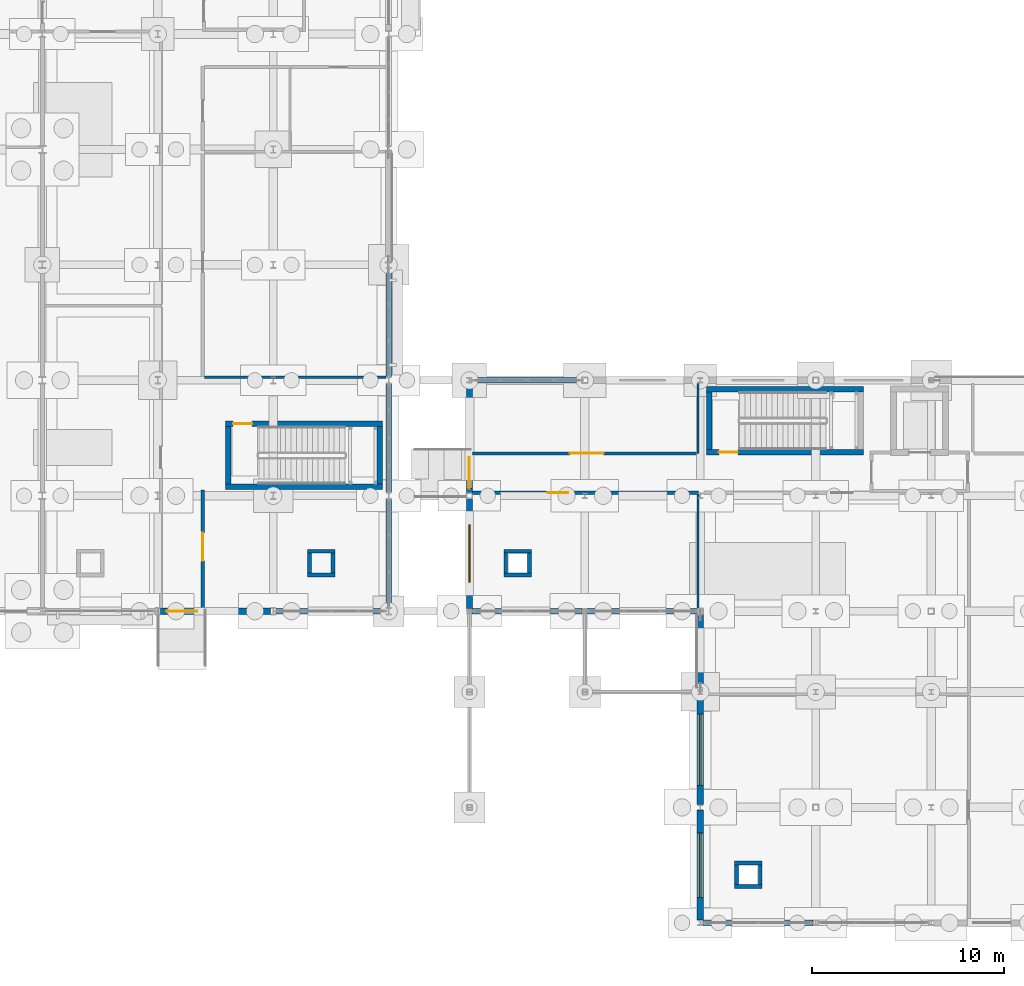
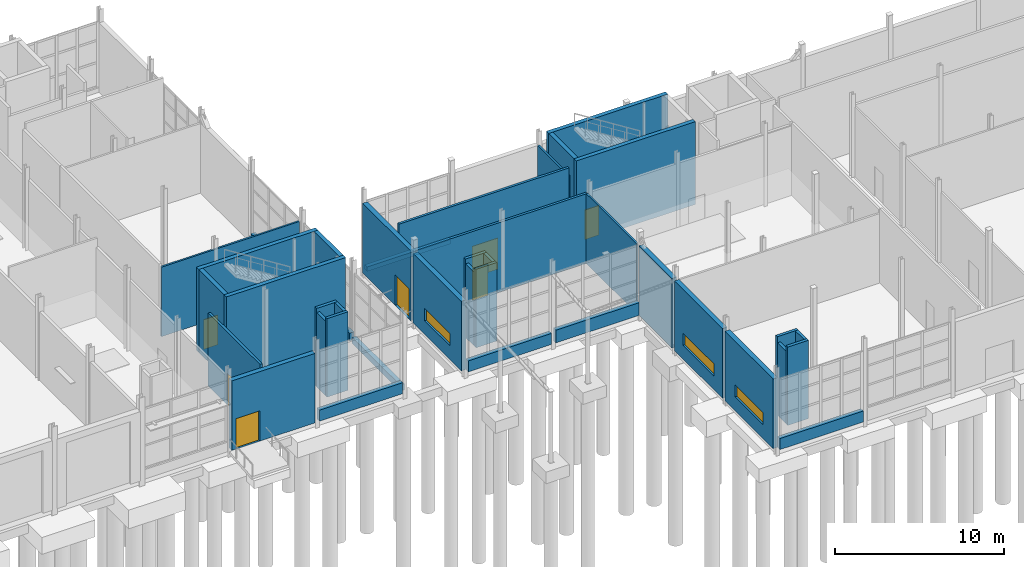
# One storey, part 96 of 120: 39 walls, 7 doors, 3 windows, 10 openings.
"""IFC4 building model written with IfcOpenShell, lengths in metres."""

from ifc_helpers import new_model, si_unit, direction, frame, frame_2d, origin, place, context, subcontext, project, spatial, rectangle, extrude, material, layer, layer_set, type_object, element, fill, save


model = new_model("IFC4")

# Units and contexts
model_context = context("Model", 3, precision=1e-05, world=origin(), true_north=direction((0.0, 1.0)))
body_context = subcontext(model_context, "Body", "Model", "MODEL_VIEW")
ifc_project = project(units=[si_unit("LENGTHUNIT", "METRE"), si_unit("AREAUNIT", "SQUARE_METRE"), si_unit("VOLUMEUNIT", "CUBIC_METRE"), si_unit("PLANEANGLEUNIT", "RADIAN"), si_unit("MASSUNIT", "GRAM", prefix="KILO")], contexts=[model_context])

# Site, building, storey
site_placement = place(None, origin())
site = spatial("IfcSite", under=ifc_project, at=site_placement, CompositionType="ELEMENT")
building_placement = place(site_placement, origin())
building = spatial("IfcBuilding", under=site, at=building_placement, Name="Siltcreek Boulevard Central Fire Station", CompositionType="ELEMENT")
storey_placement = place(building_placement, origin())
storey = spatial("IfcBuildingStorey", under=building, at=storey_placement, Name="L01", CompositionType="ELEMENT", Elevation=0.0)

# Wall
ifc_material_1 = material(Name="Concrete C40/50", Category="concrete")
ifc_layer_1 = layer(ifc_material_1, 0.280029296875, Name="Concrete C40/50")
ifc_layer_set_1 = layer_set([ifc_layer_1], Name="Concrete C40/50")
wall_type_1 = type_object("IfcWallType", Name="CW_SHEAR280", PredefinedType="SHEAR", material=ifc_layer_set_1)
wall_1_placement = place(storey_placement, frame((99.52001953125, 24.4599609375, 0.0), z_axis=(0.0, 0.0, 1.0), x_axis=(1.0, 0.0, 0.0)))
element("IfcWall", 1, at=wall_1_placement, inside=storey, type_object=wall_type_1, Name="L01 ST-V2B stair enclosure south shear wall", PredefinedType="SHEAR", context=body_context, shape_type="SweptSolid", body=[
    extrude(rectangle(XDim=8.159912109375, YDim=0.280029296875, at=frame_2d((4.080078125, 0.0))), origin(), (0.0, 0.0, 1.0), 6.0),
])

# Wall, opening, door
wall_2_placement = place(storey_placement, frame((107.679931640625, 27.739990234375, 0.0), z_axis=(0.0, 0.0, 1.0), x_axis=(-1.0, 0.0, 0.0)))
wall_2 = element("IfcWall", 2, at=wall_2_placement, inside=storey, type_object=wall_type_1, Name="L01 ST-V2B stair enclosure north shear wall", PredefinedType="SHEAR", context=body_context, shape_type="SweptSolid", body=[
    extrude(rectangle(XDim=8.159912109375, YDim=0.280029296875, at=frame_2d((4.080078125, 0.0))), origin(), (0.0, 0.0, 1.0), 6.0),
])
opening_1_placement = place(wall_2_placement, frame((6.780029296875, 0.0, 0.0)))
opening_1 = element("IfcOpeningElement", 3, at=opening_1_placement, cuts=wall_2, Name="Opening SD-012", PredefinedType="OPENING", context=body_context, shape_type="SweptSolid", body=[
    extrude(rectangle(XDim=0.97998046875, YDim=2.14990234375, at=frame_2d((0.489990234375, 1.074951171875))), frame((0.0, 0.14990234375, 0.0), z_axis=(0.0, -1.0, 0.0), x_axis=(1.0, 0.0, 0.0)), (0.0, 0.0, 1.0), 0.300048828125),
])
ifc_material_2 = material(Name="Hollow metal 90-min enclosed stair door")
door_type_1 = type_object("IfcDoorType", Name="DR_ST_098X215", OperationType="NOTDEFINED", PredefinedType="DOOR", material=ifc_material_2)
door_1_placement = place(opening_1_placement, origin())
door_1 = element("IfcDoor", 4, at=door_1_placement, inside=storey, type_object=door_type_1, Name="L01 ST-V2B enclosed exit stair door SD-012", OperationType="SINGLE_SWING_LEFT", OverallHeight=2.14990234375, OverallWidth=0.97998046875, PredefinedType="DOOR", context=body_context, shape_type="SweptSolid", body=[
    extrude(rectangle(XDim=0.97998046875, YDim=2.14990234375, at=frame_2d((0.489990234375, 1.074951171875))), frame((0.0, 0.02490234375, 0.0), z_axis=(0.0, -1.0, 0.0), x_axis=(1.0, 0.0, 0.0)), (0.0, 0.0, 1.0), 0.050048828125),
])
fill(opening_1, door_1)

# Walls
for number, where, z_axis, x_axis, name in (
    (5, (99.659912109375, 27.60009765625, 0.0), (0.0, 0.0, 1.0), (0.0, -1.0, 0.0), "L01 ST-V2B stair enclosure west shear wall"),
    (6, (107.5400390625, 24.60009765625, 0.0), (0.0, 0.0, 1.0), (0.0, 1.0, 0.0), "L01 ST-V2B stair enclosure east shear wall"),
):
    element("IfcWall", number, at=place(storey_placement, frame(where, z_axis=z_axis, x_axis=x_axis)), inside=storey, type_object=wall_type_1, Name=name, PredefinedType="SHEAR", context=body_context, shape_type="SweptSolid", body=[
        extrude(rectangle(XDim=3.0, YDim=0.280029296875, at=frame_2d((1.5, 0.0))), origin(), (0.0, 0.0, 1.0), 6.0),
    ])

# Wall, opening, door
wall_3_placement = place(storey_placement, frame((124.52001953125, 26.260009765625, 0.0), z_axis=(0.0, 0.0, 1.0), x_axis=(1.0, 0.0, 0.0)))
wall_3 = element("IfcWall", 7, at=wall_3_placement, inside=storey, type_object=wall_type_1, Name="L01 ST-V6A stair enclosure south shear wall", PredefinedType="SHEAR", context=body_context, shape_type="SweptSolid", body=[
    extrude(rectangle(XDim=8.159912109375, YDim=0.280029296875, at=frame_2d((4.080078125, 0.0))), origin(), (0.0, 0.0, 1.0), 6.0),
])
opening_2_placement = place(wall_3_placement, frame((0.64990234375, 0.0, 0.0)))
opening_2 = element("IfcOpeningElement", 8, at=opening_2_placement, cuts=wall_3, Name="Opening SD-044", PredefinedType="OPENING", context=body_context, shape_type="SweptSolid", body=[
    extrude(rectangle(XDim=0.97998046875, YDim=2.14990234375, at=frame_2d((0.489990234375, 1.074951171875))), frame((0.0, 0.14990234375, 0.0), z_axis=(0.0, -1.0, 0.0), x_axis=(1.0, 0.0, 0.0)), (0.0, 0.0, 1.0), 0.300048828125),
])
door_2_placement = place(opening_2_placement, origin())
door_2 = element("IfcDoor", 9, at=door_2_placement, inside=storey, type_object=door_type_1, Name="L01 ST-V6A enclosed exit stair door SD-044", OperationType="SINGLE_SWING_LEFT", OverallHeight=2.14990234375, OverallWidth=0.97998046875, PredefinedType="DOOR", context=body_context, shape_type="SweptSolid", body=[
    extrude(rectangle(XDim=0.97998046875, YDim=2.14990234375, at=frame_2d((0.489990234375, 1.074951171875))), frame((0.0, 0.02490234375, 0.0), z_axis=(0.0, -1.0, 0.0), x_axis=(1.0, 0.0, 0.0)), (0.0, 0.0, 1.0), 0.050048828125),
])
fill(opening_2, door_2)

# Walls
wall_4_placement = place(storey_placement, frame((132.679931640625, 29.5400390625, 0.0), z_axis=(0.0, 0.0, 1.0), x_axis=(-1.0, 0.0, 0.0)))
element("IfcWall", 10, at=wall_4_placement, inside=storey, type_object=wall_type_1, Name="L01 ST-V6A stair enclosure north shear wall", PredefinedType="SHEAR", context=body_context, shape_type="SweptSolid", body=[
    extrude(rectangle(XDim=8.159912109375, YDim=0.280029296875, at=frame_2d((4.080078125, 0.0))), origin(), (0.0, 0.0, 1.0), 6.0),
])
wall_5_placement = place(storey_placement, frame((124.659912109375, 29.39990234375, 0.0), z_axis=(0.0, 0.0, 1.0), x_axis=(0.0, -1.0, 0.0)))
element("IfcWall", 11, at=wall_5_placement, inside=storey, type_object=wall_type_1, Name="L01 ST-V6A stair enclosure west shear wall", PredefinedType="SHEAR", context=body_context, shape_type="SweptSolid", body=[
    extrude(rectangle(XDim=3.0, YDim=0.280029296875, at=frame_2d((1.5, 0.0))), origin(), (0.0, 0.0, 1.0), 6.0),
])
ifc_material_3 = material(Name="White ribbed aluminum spandrel wall", Category="aluminium")
ifc_layer_2 = layer(ifc_material_3, 0.2900390625, Name="White ribbed aluminum spandrel wall")
ifc_layer_set_2 = layer_set([ifc_layer_2], Name="White ribbed aluminum spandrel wall")
wall_type_2 = type_object("IfcWallType", Name="EW_METAL290", PredefinedType="STANDARD", material=ifc_layer_set_2)
wall_6_placement = place(storey_placement, frame((102.14501953125, 18.0, 0.0), z_axis=(0.0, 0.0, 1.0), x_axis=(1.0, 0.0, 0.0)))
element("IfcWall", 12, at=wall_6_placement, inside=storey, type_object=wall_type_2, Name="L01 V2 curtain-wall sill spandrel 0051", PredefinedType="STANDARD", context=body_context, shape_type="SweptSolid", body=[
    extrude(rectangle(XDim=5.7099609375, YDim=0.2900390625, at=frame_2d((2.85498046875, 0.0))), origin(), (0.0, 0.0, 1.0), 0.800048828125),
])
wall_7_placement = place(storey_placement, frame((108.0, 18.14501953125, 0.0), z_axis=(0.0, 0.0, 1.0), x_axis=(0.0, 1.0, 0.0)))
element("IfcWall", 13, at=wall_7_placement, inside=storey, type_object=wall_type_2, Name="L01 V2 curtain-wall sill spandrel 0055", PredefinedType="STANDARD", context=body_context, shape_type="SweptSolid", body=[
    extrude(rectangle(XDim=5.7099609375, YDim=0.2900390625, at=frame_2d((2.85498046875, 0.0))), origin(), (0.0, 0.0, 1.0), 0.43994140625),
])
wall_8_placement = place(storey_placement, frame((108.0, 24.14501953125, 0.0), z_axis=(0.0, 0.0, 1.0), x_axis=(0.0, 1.0, 0.0)))
element("IfcWall", 14, at=wall_8_placement, inside=storey, type_object=wall_type_2, Name="L01 V2 curtain-wall sill spandrel 0056", PredefinedType="STANDARD", context=body_context, shape_type="SweptSolid", body=[
    extrude(rectangle(XDim=5.7099609375, YDim=0.2900390625, at=frame_2d((2.85498046875, 0.0))), origin(), (0.0, 0.0, 1.0), 0.56005859375),
])
wall_9_placement = place(storey_placement, frame((108.0, 30.14501953125, 0.0), z_axis=(0.0, 0.0, 1.0), x_axis=(0.0, 1.0, 0.0)))
element("IfcWall", 15, at=wall_9_placement, inside=storey, type_object=wall_type_2, Name="L01 V2 curtain-wall sill spandrel 0057", PredefinedType="STANDARD", context=body_context, shape_type="SweptSolid", body=[
    extrude(rectangle(XDim=5.7099609375, YDim=0.2900390625, at=frame_2d((2.85498046875, 0.0))), origin(), (0.0, 0.0, 1.0), 0.679931640625),
])
for number, where, z_axis, x_axis, name in (
    (16, (124.344970703125, 1.800048828125, 0.0), (0.0, 0.0, 1.0), (1.0, 0.0, 0.0), "L01 V6 curtain-wall sill spandrel 0429"),
    (17, (112.344970703125, 18.0, 0.0), (0.0, 0.0, 1.0), (1.0, 0.0, 0.0), "L01 V6 curtain-wall sill spandrel 0436"),
):
    element("IfcWall", number, at=place(storey_placement, frame(where, z_axis=z_axis, x_axis=x_axis)), inside=storey, type_object=wall_type_2, Name=name, PredefinedType="STANDARD", context=body_context, shape_type="SweptSolid", body=[
        extrude(rectangle(XDim=5.7099609375, YDim=0.2900390625, at=frame_2d((2.85498046875, 0.0))), origin(), (0.0, 0.0, 1.0), 0.800048828125),
    ])
wall_10_placement = place(storey_placement, frame((118.344970703125, 18.0, 0.0), z_axis=(0.0, 0.0, 1.0), x_axis=(1.0, 0.0, 0.0)))
element("IfcWall", 18, at=wall_10_placement, inside=storey, type_object=wall_type_2, Name="L01 V6 curtain-wall sill spandrel 0437", PredefinedType="STANDARD", context=body_context, shape_type="SweptSolid", body=[
    extrude(rectangle(XDim=5.7099609375, YDim=0.2900390625, at=frame_2d((2.85498046875, 0.0))), origin(), (0.0, 0.0, 1.0), 0.919921875),
])
wall_11_placement = place(storey_placement, frame((118.054931640625, 30.0, 0.0), z_axis=(0.0, 0.0, 1.0), x_axis=(-1.0, 0.0, 0.0)))
element("IfcWall", 19, at=wall_11_placement, inside=storey, type_object=wall_type_2, Name="L01 V6 curtain-wall sill spandrel 0438", PredefinedType="STANDARD", context=body_context, shape_type="SweptSolid", body=[
    extrude(rectangle(XDim=5.7099609375, YDim=0.2900390625, at=frame_2d((2.85498046875, 0.0))), origin(), (0.0, 0.0, 1.0), 0.320068359375),
])

# Wall, opening, door
ifc_material_4 = material(Name="White ribbed aluminum insulated rainscreen panel", Category="aluminium")
ifc_layer_3 = layer(ifc_material_4, 0.320068359375, Name="White ribbed aluminum insulated rainscreen panel")
ifc_layer_set_3 = layer_set([ifc_layer_3], Name="White ribbed aluminum insulated rainscreen panel")
wall_type_3 = type_object("IfcWallType", Name="EW_METAL320", PredefinedType="STANDARD", material=ifc_layer_set_3)
wall_12_placement = place(storey_placement, frame((96.14501953125, 18.0, 0.0), z_axis=(0.0, 0.0, 1.0), x_axis=(1.0, 0.0, 0.0)))
wall_12 = element("IfcWall", 20, at=wall_12_placement, inside=storey, type_object=wall_type_3, Name="L01 V2 exterior insulated rainscreen wall WL-EXT-L01-0050", PredefinedType="STANDARD", context=body_context, shape_type="SweptSolid", body=[
    extrude(rectangle(XDim=5.7099609375, YDim=0.320068359375, at=frame_2d((2.85498046875, 0.0))), origin(), (0.0, 0.0, 1.0), 5.034912109375),
])
opening_3_placement = place(wall_12_placement, frame((0.294921875, 0.0, 0.0)))
opening_3 = element("IfcOpeningElement", 21, at=opening_3_placement, cuts=wall_12, Name="Opening ED-110", PredefinedType="OPENING", context=body_context, shape_type="SweptSolid", body=[
    extrude(rectangle(XDim=1.6201171875, YDim=2.199951171875, at=frame_2d((0.81005859375, 1.10009765625))), frame((0.0, 0.169921875, 0.0), z_axis=(0.0, -1.0, 0.0), x_axis=(1.0, 0.0, 0.0)), (0.0, 0.0, 1.0), 0.340087890625),
])
ifc_material_5 = material(Name="Thermally broken glazed terrace pair")
door_type_2 = type_object("IfcDoorType", Name="DR_TER_162X220", OperationType="NOTDEFINED", PredefinedType="DOOR", material=ifc_material_5)
door_3_placement = place(opening_3_placement, frame((1.6201171875, 0.0, 0.0), z_axis=(0.0, 0.0, 1.0), x_axis=(-1.0, 0.0, 0.0)))
door_3 = element("IfcDoor", 22, at=door_3_placement, inside=storey, type_object=door_type_2, Name="Ground level pedestrian final exit door ED-110", OperationType="SINGLE_SWING_LEFT", OverallHeight=2.199951171875, OverallWidth=1.6201171875, PredefinedType="DOOR", context=body_context, shape_type="SweptSolid", body=[
    extrude(rectangle(XDim=1.6201171875, YDim=2.199951171875, at=frame_2d((0.81005859375, 1.10009765625))), frame((0.0, 0.02490234375, 0.0), z_axis=(0.0, -1.0, 0.0), x_axis=(1.0, 0.0, 0.0)), (0.0, 0.0, 1.0), 0.050048828125),
])
fill(opening_3, door_3)

# Wall, opening, window
wall_13_placement = place(storey_placement, frame((112.199951171875, 23.85498046875, 0.0), z_axis=(0.0, 0.0, 1.0), x_axis=(0.0, -1.0, 0.0)))
wall_13 = element("IfcWall", 23, at=wall_13_placement, inside=storey, type_object=wall_type_3, Name="L01 V6 exterior insulated rainscreen wall WL-EXT-L01-0447", PredefinedType="STANDARD", context=body_context, shape_type="SweptSolid", body=[
    extrude(rectangle(XDim=5.7099609375, YDim=0.320068359375, at=frame_2d((2.85498046875, 0.0))), origin(), (0.0, 0.0, 1.0), 5.0439453125),
])
opening_4_placement = place(wall_13_placement, frame((1.35498046875, 0.0, 1.0)))
opening_4 = element("IfcOpeningElement", 24, at=opening_4_placement, cuts=wall_13, Name="Opening WN28", PredefinedType="OPENING", context=body_context, shape_type="SweptSolid", body=[
    extrude(rectangle(XDim=3.0, YDim=0.8798828125, at=frame_2d((1.5, 0.43994140625))), frame((0.0, 0.169921875, 0.0), z_axis=(0.0, -1.0, 0.0), x_axis=(1.0, 0.0, 0.0)), (0.0, 0.0, 1.0), 0.340087890625),
])
ifc_material_6 = material(Name="Thermally broken aluminum frame with low-E insulated glass", Category="aluminium")
window_type_1 = type_object("IfcWindowType", Name="WN_CL_300X088", PartitioningType="SINGLE_PANEL", PredefinedType="WINDOW", material=ifc_material_6)
window_1_placement = place(opening_4_placement, origin())
window_1 = element("IfcWindow", 25, at=window_1_placement, inside=storey, type_object=window_type_1, Name="L01 V6 exterior window WN-0169", OverallHeight=0.8798828125, OverallWidth=3.0, PartitioningType="SINGLE_PANEL", PredefinedType="WINDOW", context=body_context, shape_type="SweptSolid", body=[
    extrude(rectangle(XDim=3.0, YDim=0.8798828125, at=frame_2d((1.5, 0.43994140625))), frame((0.0, 0.030029296875, 0.0), z_axis=(0.0, -1.0, 0.0), x_axis=(1.0, 0.0, 0.0)), (0.0, 0.0, 1.0), 0.06005859375),
])
fill(opening_4, window_1)

# Wall, opening, door
wall_14_placement = place(storey_placement, frame((112.199951171875, 29.85498046875, 0.0), z_axis=(0.0, 0.0, 1.0), x_axis=(0.0, -1.0, 0.0)))
wall_14 = element("IfcWall", 26, at=wall_14_placement, inside=storey, type_object=wall_type_3, Name="L01 V6 exterior insulated rainscreen wall WL-EXT-L01-0448", PredefinedType="STANDARD", context=body_context, shape_type="SweptSolid", body=[
    extrude(rectangle(XDim=5.7099609375, YDim=0.320068359375, at=frame_2d((2.85498046875, 0.0))), origin(), (0.0, 0.0, 1.0), 5.0439453125),
])
opening_5_placement = place(wall_14_placement, frame((3.864990234375, 0.0, 0.0)))
opening_5 = element("IfcOpeningElement", 27, at=opening_5_placement, cuts=wall_14, Name="Opening ED-143", PredefinedType="OPENING", context=body_context, shape_type="SweptSolid", body=[
    extrude(rectangle(XDim=1.6201171875, YDim=2.199951171875, at=frame_2d((0.81005859375, 1.10009765625))), frame((0.0, 0.169921875, 0.0), z_axis=(0.0, -1.0, 0.0), x_axis=(1.0, 0.0, 0.0)), (0.0, 0.0, 1.0), 0.340087890625),
])
door_4_placement = place(opening_5_placement, frame((1.6201171875, 0.0, 0.0), z_axis=(0.0, 0.0, 1.0), x_axis=(-1.0, 0.0, 0.0)))
door_4 = element("IfcDoor", 28, at=door_4_placement, inside=storey, type_object=door_type_2, Name="Ground level pedestrian final exit door ED-143", OperationType="SINGLE_SWING_RIGHT", OverallHeight=2.199951171875, OverallWidth=1.6201171875, PredefinedType="DOOR", context=body_context, shape_type="SweptSolid", body=[
    extrude(rectangle(XDim=1.6201171875, YDim=2.199951171875, at=frame_2d((0.81005859375, 1.10009765625))), frame((0.0, 0.02490234375, 0.0), z_axis=(0.0, -1.0, 0.0), x_axis=(1.0, 0.0, 0.0)), (0.0, 0.0, 1.0), 0.050048828125),
])
fill(opening_5, door_4)

# Wall, opening, window
wall_15_placement = place(storey_placement, frame((124.199951171875, 7.655029296875, 0.0), z_axis=(0.0, 0.0, 1.0), x_axis=(0.0, -1.0, 0.0)))
wall_15 = element("IfcWall", 29, at=wall_15_placement, inside=storey, type_object=wall_type_3, Name="L01 V6 exterior insulated rainscreen wall WL-EXT-L01-0449", PredefinedType="STANDARD", context=body_context, shape_type="SweptSolid", body=[
    extrude(rectangle(XDim=5.7099609375, YDim=0.320068359375, at=frame_2d((2.85498046875, 0.0))), origin(), (0.0, 0.0, 1.0), 5.0439453125),
])
opening_6_placement = place(wall_15_placement, frame((1.179931640625, 0.0, 1.0)))
opening_6 = element("IfcOpeningElement", 30, at=opening_6_placement, cuts=wall_15, Name="Opening WN29", PredefinedType="OPENING", context=body_context, shape_type="SweptSolid", body=[
    extrude(rectangle(XDim=3.35009765625, YDim=0.8798828125, at=frame_2d((1.675048828125, 0.43994140625))), frame((0.0, 0.169921875, 0.0), z_axis=(0.0, -1.0, 0.0), x_axis=(1.0, 0.0, 0.0)), (0.0, 0.0, 1.0), 0.340087890625),
])
window_type_2 = type_object("IfcWindowType", Name="WN_CL_335X088", PartitioningType="SINGLE_PANEL", PredefinedType="WINDOW", material=ifc_material_6)
window_2_placement = place(opening_6_placement, origin())
window_2 = element("IfcWindow", 31, at=window_2_placement, inside=storey, type_object=window_type_2, Name="L01 V6 exterior window WN-0170", OverallHeight=0.8798828125, OverallWidth=3.35009765625, PartitioningType="SINGLE_PANEL", PredefinedType="WINDOW", context=body_context, shape_type="SweptSolid", body=[
    extrude(rectangle(XDim=3.35009765625, YDim=0.8798828125, at=frame_2d((1.675048828125, 0.43994140625))), frame((0.0, 0.030029296875, 0.0), z_axis=(0.0, -1.0, 0.0), x_axis=(1.0, 0.0, 0.0)), (0.0, 0.0, 1.0), 0.06005859375),
])
fill(opening_6, window_2)

wall_16_placement = place(storey_placement, frame((124.199951171875, 13.655029296875, 0.0), z_axis=(0.0, 0.0, 1.0), x_axis=(0.0, -1.0, 0.0)))
wall_16 = element("IfcWall", 32, at=wall_16_placement, inside=storey, type_object=wall_type_3, Name="L01 V6 exterior insulated rainscreen wall WL-EXT-L01-0450", PredefinedType="STANDARD", context=body_context, shape_type="SweptSolid", body=[
    extrude(rectangle(XDim=5.7099609375, YDim=0.320068359375, at=frame_2d((2.85498046875, 0.0))), origin(), (0.0, 0.0, 1.0), 5.0439453125),
])
opening_7_placement = place(wall_16_placement, frame((1.0048828125, 0.0, 1.0)))
opening_7 = element("IfcOpeningElement", 33, at=opening_7_placement, cuts=wall_16, Name="Opening WN30", PredefinedType="OPENING", context=body_context, shape_type="SweptSolid", body=[
    extrude(rectangle(XDim=3.699951171875, YDim=0.8798828125, at=frame_2d((1.85009765625, 0.43994140625))), frame((0.0, 0.169921875, 0.0), z_axis=(0.0, -1.0, 0.0), x_axis=(1.0, 0.0, 0.0)), (0.0, 0.0, 1.0), 0.340087890625),
])
window_type_3 = type_object("IfcWindowType", Name="WN_CL_370X088", PartitioningType="SINGLE_PANEL", PredefinedType="WINDOW", material=ifc_material_6)
window_3_placement = place(opening_7_placement, origin())
window_3 = element("IfcWindow", 34, at=window_3_placement, inside=storey, type_object=window_type_3, Name="L01 V6 exterior window WN-0171", OverallHeight=0.8798828125, OverallWidth=3.699951171875, PartitioningType="SINGLE_PANEL", PredefinedType="WINDOW", context=body_context, shape_type="SweptSolid", body=[
    extrude(rectangle(XDim=3.699951171875, YDim=0.8798828125, at=frame_2d((1.85009765625, 0.43994140625))), frame((0.0, 0.030029296875, 0.0), z_axis=(0.0, -1.0, 0.0), x_axis=(1.0, 0.0, 0.0)), (0.0, 0.0, 1.0), 0.06005859375),
])
fill(opening_7, window_3)

# Walls
wall_17_placement = place(storey_placement, frame((124.199951171875, 17.85498046875, 0.0), z_axis=(0.0, 0.0, 1.0), x_axis=(0.0, -1.0, 0.0)))
element("IfcWall", 35, at=wall_17_placement, inside=storey, type_object=wall_type_3, Name="L01 V6 exterior insulated rainscreen wall WL-EXT-L01-0451", PredefinedType="STANDARD", context=body_context, shape_type="SweptSolid", body=[
    extrude(rectangle(XDim=3.909912109375, YDim=0.320068359375, at=frame_2d((1.955078125, 0.0))), origin(), (0.0, 0.0, 1.0), 5.0439453125),
])
ifc_material_7 = material(Name="Fire-rated concrete masonry and gypsum barrier", Category="masonry")
ifc_layer_4 = layer(ifc_material_7, 0.199951171875, Name="Fire-rated concrete masonry and gypsum barrier")
ifc_layer_set_4 = layer_set([ifc_layer_4], Name="Fire-rated concrete masonry and gypsum barrier")
wall_type_4 = type_object("IfcWallType", Name="IW_FIRE200", PredefinedType="PARTITIONING", material=ifc_layer_set_4)
wall_18_placement = place(storey_placement, frame((103.784912109375, 19.885009765625, 0.0), z_axis=(0.0, 0.0, 1.0), x_axis=(1.0, 0.0, 0.0)))
element("IfcWall", 36, at=wall_18_placement, inside=storey, type_object=wall_type_4, Name="L01 enclosed MEP service riser wall 012-S", PredefinedType="PARTITIONING", context=body_context, shape_type="SweptSolid", body=[
    extrude(rectangle(XDim=1.43017578125, YDim=0.199951171875, at=frame_2d((0.715087890625, 0.0))), origin(), (0.0, 0.0, 1.0), 5.679931640625),
])
wall_19_placement = place(storey_placement, frame((105.114990234375, 19.985107421875, 0.0), z_axis=(0.0, 0.0, 1.0), x_axis=(0.0, 1.0, 0.0)))
element("IfcWall", 37, at=wall_19_placement, inside=storey, type_object=wall_type_4, Name="L01 enclosed MEP service riser wall 012-E", PredefinedType="PARTITIONING", context=body_context, shape_type="SweptSolid", body=[
    extrude(rectangle(XDim=1.02978515625, YDim=0.199951171875, at=frame_2d((0.514892578125, 0.0))), origin(), (0.0, 0.0, 1.0), 5.679931640625),
])
wall_20_placement = place(storey_placement, frame((105.215087890625, 21.114990234375, 0.0), z_axis=(0.0, 0.0, 1.0), x_axis=(-1.0, 0.0, 0.0)))
element("IfcWall", 38, at=wall_20_placement, inside=storey, type_object=wall_type_4, Name="L01 enclosed MEP service riser wall 012-N", PredefinedType="PARTITIONING", context=body_context, shape_type="SweptSolid", body=[
    extrude(rectangle(XDim=1.43017578125, YDim=0.199951171875, at=frame_2d((0.715087890625, 0.0))), origin(), (0.0, 0.0, 1.0), 5.679931640625),
])
wall_21_placement = place(storey_placement, frame((103.885009765625, 21.014892578125, 0.0), z_axis=(0.0, 0.0, 1.0), x_axis=(0.0, -1.0, 0.0)))
element("IfcWall", 39, at=wall_21_placement, inside=storey, type_object=wall_type_4, Name="L01 enclosed MEP service riser wall 012-W", PredefinedType="PARTITIONING", context=body_context, shape_type="SweptSolid", body=[
    extrude(rectangle(XDim=1.02978515625, YDim=0.199951171875, at=frame_2d((0.514892578125, 0.0))), origin(), (0.0, 0.0, 1.0), 5.389892578125),
])
wall_22_placement = place(storey_placement, frame((113.985107421875, 19.885009765625, 0.0), z_axis=(0.0, 0.0, 1.0), x_axis=(1.0, 0.0, 0.0)))
element("IfcWall", 40, at=wall_22_placement, inside=storey, type_object=wall_type_4, Name="L01 enclosed MEP service riser wall 013-S", PredefinedType="PARTITIONING", context=body_context, shape_type="SweptSolid", body=[
    extrude(rectangle(XDim=1.429931640625, YDim=0.199951171875, at=frame_2d((0.71484375, 0.0))), origin(), (0.0, 0.0, 1.0), 5.679931640625),
])
wall_23_placement = place(storey_placement, frame((115.31494140625, 19.985107421875, 0.0), z_axis=(0.0, 0.0, 1.0), x_axis=(0.0, 1.0, 0.0)))
element("IfcWall", 41, at=wall_23_placement, inside=storey, type_object=wall_type_4, Name="L01 enclosed MEP service riser wall 013-E", PredefinedType="PARTITIONING", context=body_context, shape_type="SweptSolid", body=[
    extrude(rectangle(XDim=1.02978515625, YDim=0.199951171875, at=frame_2d((0.514892578125, 0.0))), origin(), (0.0, 0.0, 1.0), 5.679931640625),
])
wall_24_placement = place(storey_placement, frame((115.4150390625, 21.114990234375, 0.0), z_axis=(0.0, 0.0, 1.0), x_axis=(-1.0, 0.0, 0.0)))
element("IfcWall", 42, at=wall_24_placement, inside=storey, type_object=wall_type_4, Name="L01 enclosed MEP service riser wall 013-N", PredefinedType="PARTITIONING", context=body_context, shape_type="SweptSolid", body=[
    extrude(rectangle(XDim=1.429931640625, YDim=0.199951171875, at=frame_2d((0.71484375, 0.0))), origin(), (0.0, 0.0, 1.0), 5.679931640625),
])
wall_25_placement = place(storey_placement, frame((114.0849609375, 21.014892578125, 0.0), z_axis=(0.0, 0.0, 1.0), x_axis=(0.0, -1.0, 0.0)))
element("IfcWall", 43, at=wall_25_placement, inside=storey, type_object=wall_type_4, Name="L01 enclosed MEP service riser wall 013-W", PredefinedType="PARTITIONING", context=body_context, shape_type="SweptSolid", body=[
    extrude(rectangle(XDim=1.02978515625, YDim=0.199951171875, at=frame_2d((0.514892578125, 0.0))), origin(), (0.0, 0.0, 1.0), 5.339111328125),
])
wall_26_placement = place(storey_placement, frame((125.985107421875, 3.68505859375, 0.0), z_axis=(0.0, 0.0, 1.0), x_axis=(1.0, 0.0, 0.0)))
element("IfcWall", 44, at=wall_26_placement, inside=storey, type_object=wall_type_4, Name="L01 enclosed MEP service riser wall 014-S", PredefinedType="PARTITIONING", context=body_context, shape_type="SweptSolid", body=[
    extrude(rectangle(XDim=1.429931640625, YDim=0.199951171875, at=frame_2d((0.71484375, 0.0))), origin(), (0.0, 0.0, 1.0), 5.679931640625),
])
wall_27_placement = place(storey_placement, frame((127.31494140625, 3.784912109375, 0.0), z_axis=(0.0, 0.0, 1.0), x_axis=(0.0, 1.0, 0.0)))
element("IfcWall", 45, at=wall_27_placement, inside=storey, type_object=wall_type_4, Name="L01 enclosed MEP service riser wall 014-E", PredefinedType="PARTITIONING", context=body_context, shape_type="SweptSolid", body=[
    extrude(rectangle(XDim=1.030029296875, YDim=0.199951171875, at=frame_2d((0.51513671875, 0.0))), origin(), (0.0, 0.0, 1.0), 5.679931640625),
])
wall_28_placement = place(storey_placement, frame((127.4150390625, 4.9150390625, 0.0), z_axis=(0.0, 0.0, 1.0), x_axis=(-1.0, 0.0, 0.0)))
element("IfcWall", 46, at=wall_28_placement, inside=storey, type_object=wall_type_4, Name="L01 enclosed MEP service riser wall 014-N", PredefinedType="PARTITIONING", context=body_context, shape_type="SweptSolid", body=[
    extrude(rectangle(XDim=1.429931640625, YDim=0.199951171875, at=frame_2d((0.71484375, 0.0))), origin(), (0.0, 0.0, 1.0), 5.679931640625),
])
wall_29_placement = place(storey_placement, frame((126.0849609375, 4.81494140625, 0.0), z_axis=(0.0, 0.0, 1.0), x_axis=(0.0, -1.0, 0.0)))
element("IfcWall", 47, at=wall_29_placement, inside=storey, type_object=wall_type_4, Name="L01 enclosed MEP service riser wall 014-W", PredefinedType="PARTITIONING", context=body_context, shape_type="SweptSolid", body=[
    extrude(rectangle(XDim=1.030029296875, YDim=0.199951171875, at=frame_2d((0.51513671875, 0.0))), origin(), (0.0, 0.0, 1.0), 5.2490234375),
])
ifc_material_8 = material(Name="Interior steel stud gypsum partition", Category="steel")
ifc_layer_5 = layer(ifc_material_8, 0.125, Name="Interior steel stud gypsum partition")
ifc_layer_set_5 = layer_set([ifc_layer_5], Name="Interior steel stud gypsum partition")
wall_type_5 = type_object("IfcWallType", Name="IW_PART125", PredefinedType="PARTITIONING", material=ifc_layer_set_5)
wall_30_placement = place(storey_placement, frame((107.85498046875, 30.169921875, 0.0), z_axis=(0.0, 0.0, 1.0), x_axis=(-1.0, 0.0, 0.0)))
element("IfcWall", 48, at=wall_30_placement, inside=storey, type_object=wall_type_5, Name="L01 Station Duty Locker Room partition 0062", PredefinedType="PARTITIONING", context=body_context, shape_type="SweptSolid", body=[
    extrude(rectangle(XDim=9.43505859375, YDim=0.125, at=frame_2d((4.717529296875, 0.0))), origin(), (0.0, 0.0, 1.0), 5.034912109375),
])
wall_31_placement = place(storey_placement, frame((124.080078125, 24.080078125, 0.0), z_axis=(0.0, 0.0, 1.0), x_axis=(0.0, -1.0, 0.0)))
element("IfcWall", 49, at=wall_31_placement, inside=storey, type_object=wall_type_5, Name="L01 Civic Commons Foyer Lounge partition 0094", PredefinedType="PARTITIONING", context=body_context, shape_type="SweptSolid", body=[
    extrude(rectangle(XDim=5.93505859375, YDim=0.125, at=frame_2d((2.967529296875, 0.0))), origin(), (0.0, 0.0, 1.0), 5.0439453125),
])
wall_32_placement = place(storey_placement, frame((124.080078125, 29.840087890625, 0.0), z_axis=(0.0, 0.0, 1.0), x_axis=(0.0, -1.0, 0.0)))
element("IfcWall", 50, at=wall_32_placement, inside=storey, type_object=wall_type_5, Name="L01 Community Emergency Preparedness Studio partition 0095", PredefinedType="PARTITIONING", context=body_context, shape_type="SweptSolid", body=[
    extrude(rectangle(XDim=3.642578125, YDim=0.125, at=frame_2d((1.8212890625, 0.0))), origin(), (0.0, 0.0, 1.0), 5.0439453125),
])

# Wall, opening, door
ifc_material_9 = material(Name="Acoustic smoke-barrier steel stud gypsum wall", Category="steel")
ifc_layer_6 = layer(ifc_material_9, 0.1650390625, Name="Acoustic smoke-barrier steel stud gypsum wall")
ifc_layer_set_6 = layer_set([ifc_layer_6], Name="Acoustic smoke-barrier steel stud gypsum wall")
wall_type_6 = type_object("IfcWallType", Name="IW_SMK165", PredefinedType="PARTITIONING", material=ifc_layer_set_6)
wall_33_placement = place(storey_placement, frame((98.340087890625, 18.159912109375, 0.0), z_axis=(0.0, 0.0, 1.0), x_axis=(0.0, 1.0, 0.0)))
wall_33 = element("IfcWall", 51, at=wall_33_placement, inside=storey, type_object=wall_type_6, Name="L01 Crew Ready Briefing Room partition 0059", PredefinedType="PARTITIONING", context=body_context, shape_type="SweptSolid", body=[
    extrude(rectangle(XDim=6.142578125, YDim=0.1650390625, at=frame_2d((3.0712890625, 0.0))), origin(), (0.0, 0.0, 1.0), 5.2939453125),
])
opening_8_placement = place(wall_33_placement, frame((2.4560546875, 0.0, 0.0)))
opening_8 = element("IfcOpeningElement", 52, at=opening_8_placement, cuts=wall_33, Name="Opening ID11", PredefinedType="OPENING", context=body_context, shape_type="SweptSolid", body=[
    extrude(rectangle(XDim=1.4599609375, YDim=2.300048828125, at=frame_2d((0.72998046875, 1.14990234375))), frame((0.0, 0.092529296875, 0.0), z_axis=(0.0, -1.0, 0.0), x_axis=(1.0, 0.0, 0.0)), (0.0, 0.0, 1.0), 0.18505859375),
])
ifc_material_10 = material(Name="Hollow metal mechanical plant double-wide door")
door_type_3 = type_object("IfcDoorType", Name="DR_PLT_146X230", OperationType="NOTDEFINED", PredefinedType="DOOR", material=ifc_material_10)
door_5_placement = place(opening_8_placement, frame((1.4599609375, 0.0, 0.0), z_axis=(0.0, 0.0, 1.0), x_axis=(-1.0, 0.0, 0.0)))
door_5 = element("IfcDoor", 53, at=door_5_placement, inside=storey, type_object=door_type_3, Name="L01 Crew Ready Briefing Room door ID-0027", OperationType="SINGLE_SWING_RIGHT", OverallHeight=2.300048828125, OverallWidth=1.4599609375, PredefinedType="DOOR", context=body_context, shape_type="SweptSolid", body=[
    extrude(rectangle(XDim=1.4599609375, YDim=2.300048828125, at=frame_2d((0.72998046875, 1.14990234375))), frame((0.0, 0.02490234375, 0.0), z_axis=(0.0, -1.0, 0.0), x_axis=(1.0, 0.0, 0.0)), (0.0, 0.0, 1.0), 0.050048828125),
])
fill(opening_8, door_5)

wall_34_placement = place(storey_placement, frame((112.360107421875, 24.159912109375, 0.0), z_axis=(0.0, 0.0, 1.0), x_axis=(1.0, 0.0, 0.0)))
wall_34 = element("IfcWall", 54, at=wall_34_placement, inside=storey, type_object=wall_type_6, Name="L01 Civic Commons Foyer Lounge partition 0093", PredefinedType="PARTITIONING", context=body_context, shape_type="SweptSolid", body=[
    extrude(rectangle(XDim=11.742431640625, YDim=0.1650390625, at=frame_2d((5.87109375, 0.0))), origin(), (0.0, 0.0, 1.0), 5.034912109375),
])
opening_9_placement = place(wall_34_placement, frame((3.908203125, 0.0, 0.0)))
opening_9 = element("IfcOpeningElement", 55, at=opening_9_placement, cuts=wall_34, Name="Opening ID12", PredefinedType="OPENING", context=body_context, shape_type="SweptSolid", body=[
    extrude(rectangle(XDim=1.06005859375, YDim=2.25, at=frame_2d((0.530029296875, 1.125))), frame((0.0, 0.092529296875, 0.0), z_axis=(0.0, -1.0, 0.0), x_axis=(1.0, 0.0, 0.0)), (0.0, 0.0, 1.0), 0.18505859375),
])
ifc_material_11 = material(Name="Hardened steel radio vault security door", Category="steel")
door_type_4 = type_object("IfcDoorType", Name="DR_VLT_106X225", OperationType="NOTDEFINED", PredefinedType="DOOR", material=ifc_material_11)
door_6_placement = place(opening_9_placement, origin())
door_6 = element("IfcDoor", 56, at=door_6_placement, inside=storey, type_object=door_type_4, Name="L01 Civic Commons Foyer Lounge door ID-0042", OperationType="SINGLE_SWING_LEFT", OverallHeight=2.25, OverallWidth=1.06005859375, PredefinedType="DOOR", context=body_context, shape_type="SweptSolid", body=[
    extrude(rectangle(XDim=1.06005859375, YDim=2.25, at=frame_2d((0.530029296875, 1.125))), frame((0.0, 0.02490234375, 0.0), z_axis=(0.0, -1.0, 0.0), x_axis=(1.0, 0.0, 0.0)), (0.0, 0.0, 1.0), 0.050048828125),
])
fill(opening_9, door_6)

wall_35_placement = place(storey_placement, frame((124.017578125, 26.199951171875, 0.0), z_axis=(0.0, 0.0, 1.0), x_axis=(-1.0, 0.0, 0.0)))
wall_35 = element("IfcWall", 57, at=wall_35_placement, inside=storey, type_object=wall_type_6, Name="L01 Community Emergency Preparedness Studio partition 0096", PredefinedType="PARTITIONING", context=body_context, shape_type="SweptSolid", body=[
    extrude(rectangle(XDim=11.657470703125, YDim=0.1650390625, at=frame_2d((5.82861328125, 0.0))), origin(), (0.0, 0.0, 1.0), 5.679931640625),
])
opening_10_placement = place(wall_35_placement, frame((4.83740234375, 0.0, 0.0)))
opening_10 = element("IfcOpeningElement", 58, at=opening_10_placement, cuts=wall_35, Name="Opening AD01", PredefinedType="OPENING", context=body_context, shape_type="SweptSolid", body=[
    extrude(rectangle(XDim=1.760009765625, YDim=2.260009765625, at=frame_2d((0.8798828125, 1.1298828125))), frame((0.0, 0.092529296875, 0.0), z_axis=(0.0, -1.0, 0.0), x_axis=(1.0, 0.0, 0.0)), (0.0, 0.0, 1.0), 0.18505859375),
])
ifc_material_12 = material(Name="Acoustic solid-core lecture theatre vomitory pair")
door_type_5 = type_object("IfcDoorType", Name="DR_TH_176X226", OperationType="NOTDEFINED", PredefinedType="DOOR", material=ifc_material_12)
door_7_placement = place(opening_10_placement, frame((1.760009765625, 0.0, 0.0), z_axis=(0.0, 0.0, 1.0), x_axis=(-1.0, 0.0, 0.0)))
door_7 = element("IfcDoor", 59, at=door_7_placement, inside=storey, type_object=door_type_5, Name="L01 Community Emergency Preparedness Studio door ID-0043", OperationType="DOUBLE_DOOR_SINGLE_SWING", OverallHeight=2.260009765625, OverallWidth=1.760009765625, PredefinedType="DOOR", context=body_context, shape_type="SweptSolid", body=[
    extrude(rectangle(XDim=1.760009765625, YDim=2.260009765625, at=frame_2d((0.8798828125, 1.1298828125))), frame((0.0, 0.02490234375, 0.0), z_axis=(0.0, -1.0, 0.0), x_axis=(1.0, 0.0, 0.0)), (0.0, 0.0, 1.0), 0.050048828125),
])
fill(opening_10, door_7)

save(model, "model.ifc")
